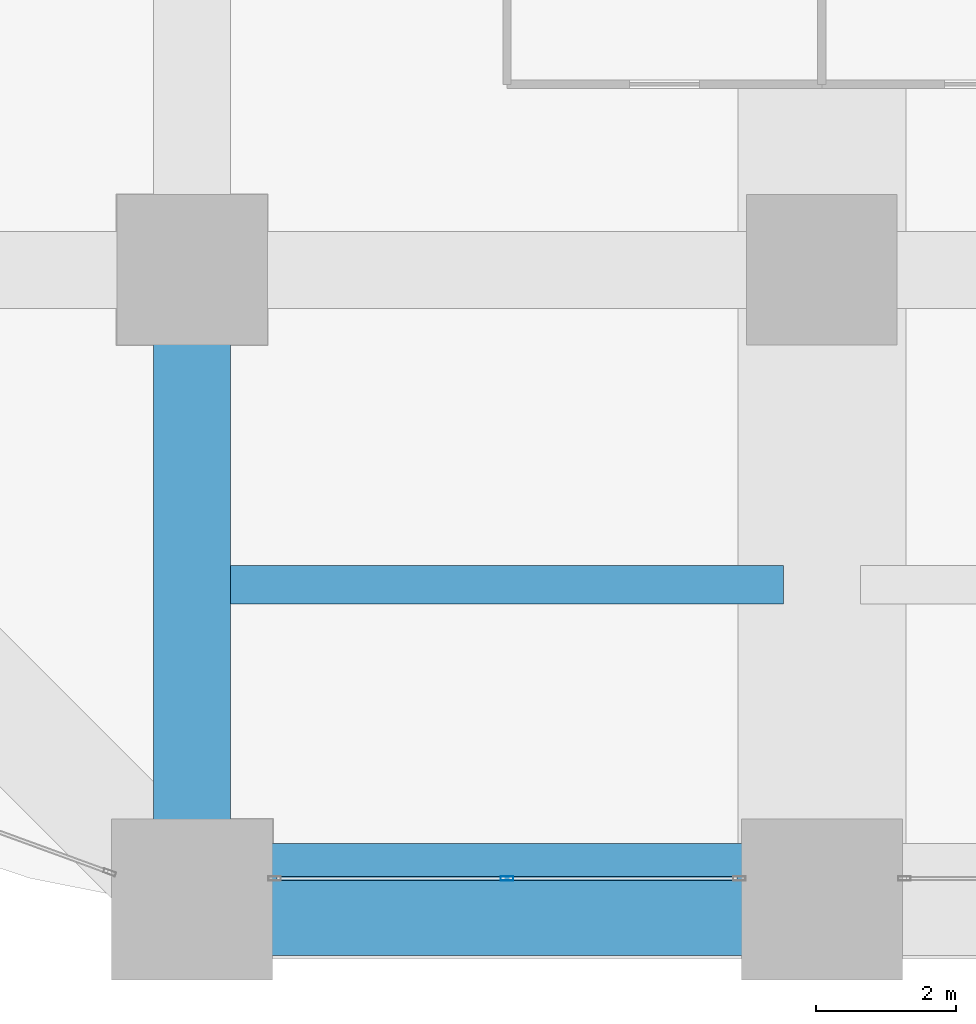
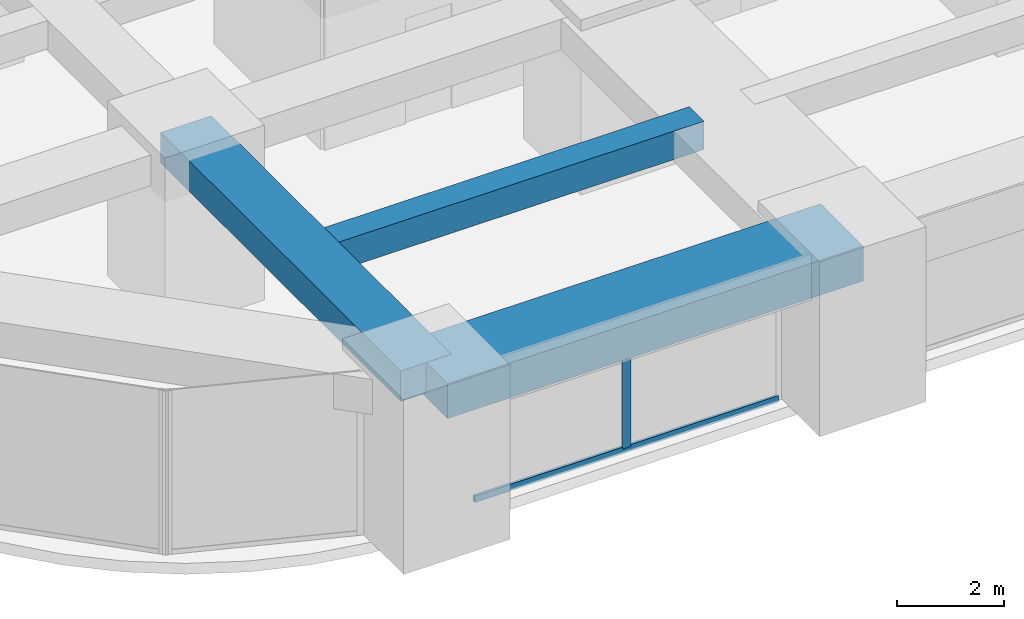
# One storey, part 3 of 43: 3 beams, 2 members, 1 element without a shape of its own.
"""IFC4 building model written with IfcOpenShell, lengths in metres."""

from ifc_helpers import new_model, si_unit, direction, frame, origin, origin_2d, place, context, subcontext, project, spatial, rectangle, hollow_rectangle, extrude, material, material_profile, profile_set, type_object, element, aggregate, save


model = new_model("IFC4")

# Units and contexts
model_context = context("Model", 3, precision=1e-05, world=origin(), true_north=direction((0.0, 1.0)))
body_context = subcontext(model_context, "Body", "Model", "MODEL_VIEW")
ifc_project = project(units=[si_unit("LENGTHUNIT", "METRE"), si_unit("AREAUNIT", "SQUARE_METRE"), si_unit("VOLUMEUNIT", "CUBIC_METRE"), si_unit("PLANEANGLEUNIT", "RADIAN"), si_unit("MASSUNIT", "GRAM", prefix="KILO")], contexts=[model_context])

# Site, building, storey
site_placement = place(None, origin())
site = spatial("IfcSite", under=ifc_project, at=site_placement, CompositionType="ELEMENT")
building_placement = place(site_placement, origin())
building = spatial("IfcBuilding", under=site, at=building_placement, Name="Zorevar Civic Tower", CompositionType="ELEMENT")
storey_placement = place(building_placement, frame((0.0, 0.0, 67.800048828125)))
storey = spatial("IfcBuildingStorey", under=building, at=storey_placement, Name="L16", CompositionType="ELEMENT", Elevation=67.800048828125)

# Beams
ifc_material_1 = material(Name="Concrete C50/60", Category="concrete")
ifc_material_profile_1 = material_profile(ifc_material_1, rectangle(XDim=1.10009765625, YDim=0.699951171875, at=origin_2d()), Name="RC 1100x700")
ifc_profile_set_1 = profile_set([ifc_material_profile_1], Name="Concrete C50/60")
beam_type_1 = type_object("IfcBeamType", Name="Beam RC 1100x700", PredefinedType="BEAM", material=ifc_profile_set_1)
beam_1_placement = place(storey_placement, frame((9.0, 0.0, 3.39990234375), z_axis=(0.0, 1.0, 0.0), x_axis=(-1.0, 0.0, 0.0)))
element("IfcBeam", 1, at=beam_1_placement, inside=storey, type_object=beam_type_1, Name="Girder L17", PredefinedType="BEAM", context=body_context, shape_type="SweptSolid", body=[
    extrude(rectangle(XDim=1.10009765625, YDim=0.699951171875, at=origin_2d()), origin(), (0.0, 0.0, 1.0), 9.0),
])
ifc_material_2 = material(Name="Concrete C50/60", Category="concrete")
ifc_material_profile_2 = material_profile(ifc_material_2, rectangle(XDim=0.550048828125, YDim=0.64990234375, at=origin_2d()), Name="RC 550x650")
ifc_profile_set_2 = profile_set([ifc_material_profile_2], Name="Concrete C50/60")
beam_type_2 = type_object("IfcBeamType", Name="Beam RC 550x650", PredefinedType="BEAM", material=ifc_profile_set_2)
beam_2_placement = place(storey_placement, frame((9.550048828125, 4.5, 3.425048828125), z_axis=(1.0, 0.0, 0.0), x_axis=(0.0, 1.0, 0.0)))
element("IfcBeam", 2, at=beam_2_placement, inside=storey, type_object=beam_type_2, Name="Secondary beam L17", PredefinedType="BEAM", context=body_context, shape_type="SweptSolid", body=[
    extrude(rectangle(XDim=0.550048828125, YDim=0.64990234375, at=origin_2d()), origin(), (0.0, 0.0, 1.0), 7.89990234375),
])

# Curtain wall, members
ifc_material_3 = material(Name="Dark grey solar-control glass in black aluminium frame", Category="aluminium")
curtain_wall_type = type_object("IfcCurtainWallType", Name="Curtain wall CW2 low zone", PredefinedType="NOTDEFINED", material=ifc_material_3)
curtain_wall_placement = place(storey_placement, origin())
curtain_wall = element("IfcCurtainWall", 3, at=curtain_wall_placement, inside=storey, type_object=curtain_wall_type, Name="CW2 L16", PredefinedType="NOTDEFINED")
ifc_material_4 = material(Name="Aluminium, black anodised", Category="aluminium")
ifc_material_profile_3 = material_profile(ifc_material_4, hollow_rectangle(XDim=0.06005859375, YDim=0.179931640625, WallThickness=0.00390625, at=origin_2d()), Name="AL 180x60x4")
ifc_profile_set_3 = profile_set([ifc_material_profile_3], Name="Aluminium, black anodised")
member_type_1 = type_object("IfcMemberType", Name="CW2 mullion AL 180x60x4", PredefinedType="MULLION", material=ifc_profile_set_3)
member_1_placement = place(storey_placement, frame((13.5, 0.300048828125, 0.06005859375), z_axis=(0.0, 0.0, 1.0), x_axis=(0.0, 1.0, 0.0)))
member_1 = element("IfcMember", 4, at=member_1_placement, type_object=member_type_1, Name="CW2 mullion 2", PredefinedType="MULLION", context=body_context, shape_type="SweptSolid", body=[
    extrude(hollow_rectangle(XDim=0.06005859375, YDim=0.179931640625, WallThickness=0.00390625, at=origin_2d()), origin(), (0.0, 0.0, 1.0), 2.889892578125),
])
ifc_material_5 = material(Name="Aluminium, black anodised", Category="aluminium")
ifc_material_profile_4 = material_profile(ifc_material_5, hollow_rectangle(XDim=0.06005859375, YDim=0.14990234375, WallThickness=0.00390625, at=origin_2d()), Name="AL 150x60x4")
ifc_profile_set_4 = profile_set([ifc_material_profile_4], Name="Aluminium, black anodised")
member_type_2 = type_object("IfcMemberType", Name="CW2 transom AL 150x60x4", PredefinedType="USERDEFINED", material=ifc_profile_set_4)
member_2_placement = place(storey_placement, frame((10.2099609375, 0.300048828125, 0.030029296875), z_axis=(1.0, 0.0, 0.0), x_axis=(0.0, 1.0, 0.0)))
member_2 = element("IfcMember", 5, at=member_2_placement, type_object=member_type_2, Name="CW2 sill transom", ObjectType="TRANSOM", PredefinedType="USERDEFINED", context=body_context, shape_type="SweptSolid", body=[
    extrude(hollow_rectangle(XDim=0.06005859375, YDim=0.14990234375, WallThickness=0.00390625, at=origin_2d()), origin(), (0.0, 0.0, 1.0), 6.580078125),
])
aggregate(curtain_wall, [member_1, member_2])

# Beam
ifc_material_6 = material(Name="Concrete C50/60", Category="concrete")
ifc_material_profile_5 = material_profile(ifc_material_6, rectangle(XDim=1.60009765625, YDim=0.800048828125, at=origin_2d()), Name="RC 1600x800")
ifc_profile_set_5 = profile_set([ifc_material_profile_5], Name="Concrete C50/60")
beam_type_3 = type_object("IfcBeamType", Name="Edge beam RC 1600x800", PredefinedType="SPANDREL", material=ifc_profile_set_5)
beam_3_placement = place(storey_placement, frame((9.0, 0.0, 3.349853515625), z_axis=(1.0, 0.0, 0.0), x_axis=(0.0, 1.0, 0.0)))
element("IfcBeam", 6, at=beam_3_placement, inside=storey, type_object=beam_type_3, Name="Edge beam L17", PredefinedType="SPANDREL", context=body_context, shape_type="SweptSolid", body=[
    extrude(rectangle(XDim=1.60009765625, YDim=0.800048828125, at=origin_2d()), origin(), (0.0, 0.0, 1.0), 9.0),
])

save(model, "model.ifc")
